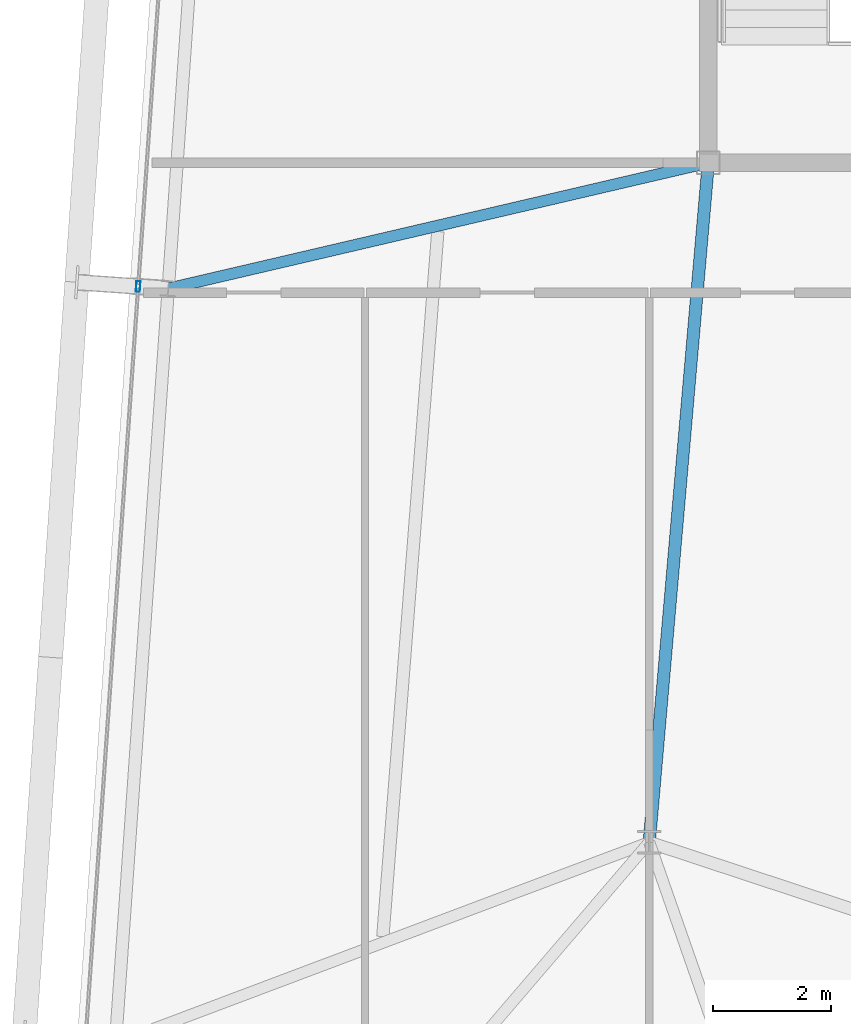
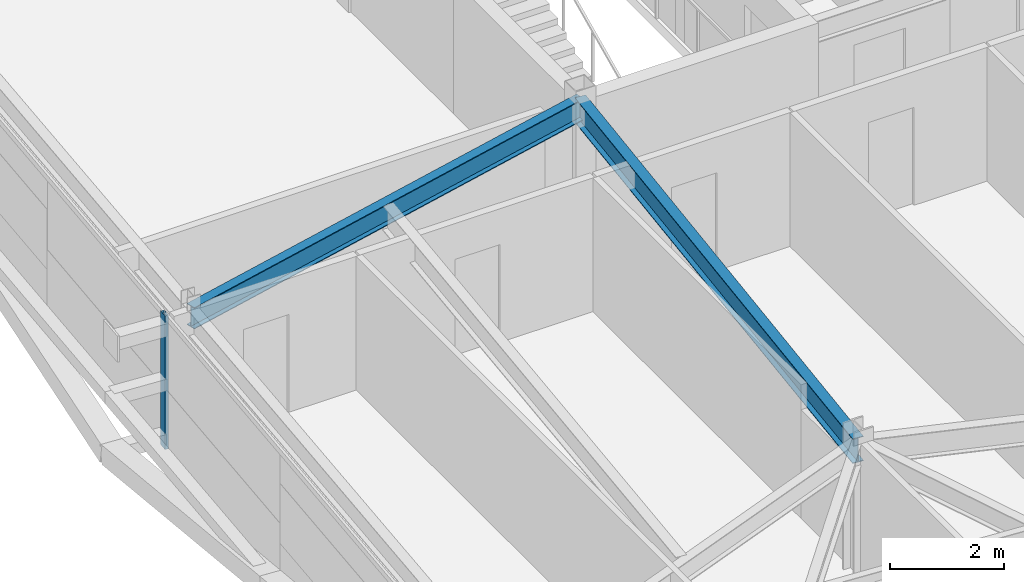
# One storey, part 11 of 39: 2 beams, 1 member, 1 element without a shape of its own.
"""IFC4 building model written with IfcOpenShell, lengths in metres."""

from ifc_helpers import new_model, si_unit, direction, frame, origin, origin_2d, place, context, subcontext, project, spatial, hollow_rectangle, i_section, extrude, source, transform, mapped, material, layer, layer_set, material_profile, profile_set, type_object, element, aggregate, save


model = new_model("IFC4")

# Units and contexts
model_context = context("Model", 3, precision=1e-05, world=origin(), true_north=direction((0.0, 1.0)))
body_context = subcontext(model_context, "Body", "Model", "MODEL_VIEW")
ifc_project = project(units=[si_unit("LENGTHUNIT", "METRE"), si_unit("AREAUNIT", "SQUARE_METRE"), si_unit("VOLUMEUNIT", "CUBIC_METRE"), si_unit("PLANEANGLEUNIT", "RADIAN"), si_unit("MASSUNIT", "GRAM", prefix="KILO")], contexts=[model_context])

# Site, building, storey
site_placement = place(None, origin())
site = spatial("IfcSite", under=ifc_project, at=site_placement, CompositionType="ELEMENT")
building_placement = place(site_placement, origin())
building = spatial("IfcBuilding", under=site, at=building_placement, Name="Taldren Reach Tower", CompositionType="ELEMENT")
storey_placement = place(building_placement, frame((0.0, 0.0, 161.35009765625)))
storey = spatial("IfcBuildingStorey", under=building, at=storey_placement, Name="L49", CompositionType="ELEMENT", Elevation=161.35009765625)

# Beams
ifc_material_1 = material(Name="Steel Gr 350 (350PLUS)", Category="steel")
ifc_material_profile_1 = material_profile(ifc_material_1, i_section(OverallWidth=0.208984375, OverallDepth=0.532958984375, WebThickness=0.01025390625, FlangeThickness=0.015625, at=origin_2d()), Name="530UB92.4")
ifc_profile_set_1 = profile_set([ifc_material_profile_1], Name="Steel Gr 350 (350PLUS)")
beam_type_1 = type_object("IfcBeamType", Name="BM-UB530A", PredefinedType="BEAM", material=ifc_profile_set_1)
shared_shape_1 = source(origin(), body_context, "Body", "SweptSolid", [
    extrude(i_section(OverallWidth=0.208984375, OverallDepth=0.532958984375, WebThickness=0.01025390625, FlangeThickness=0.015625, at=origin_2d()), origin(), (0.0, 0.0, 1.0), 11.54345703125),
])
beam_1_placement = place(storey_placement, frame((19.0, 24.0, 2.603515625), z_axis=(-0.086629616365, -0.996240588196, 0.0), x_axis=(0.996240588196, -0.086629616365, 0.0)))
element("IfcBeam", 1, at=beam_1_placement, inside=storey, type_object=beam_type_1, Name="Core-spine girder L49-SP09", PredefinedType="BEAM", context=body_context, shape_type="MappedRepresentation", body=[
    mapped(shared_shape_1, transform((0.0, 0.0, 0.0), scale=1.0)),
])
ifc_material_profile_2 = material_profile(ifc_material_1, i_section(OverallWidth=0.19091796875, OverallDepth=0.4599609375, WebThickness=0.010009765625, FlangeThickness=0.01611328125, at=origin_2d()), Name="460UB82.1")
ifc_profile_set_2 = profile_set([ifc_material_profile_2], Name="Steel Gr 350 (350PLUS)")
beam_type_2 = type_object("IfcBeamType", Name="BM-UB460A", PredefinedType="BEAM", material=ifc_profile_set_2)
shared_shape_2 = source(origin(), body_context, "Body", "SweptSolid", [
    extrude(i_section(OverallWidth=0.19091796875, OverallDepth=0.4599609375, WebThickness=0.010009765625, FlangeThickness=0.01611328125, at=origin_2d()), origin(), (0.0, 0.0, 1.0), 9.383544921875),
])
beam_2_placement = place(storey_placement, frame((19.0, 24.0, 2.639892578125), z_axis=(-0.973856560651, -0.227163815951, 0.0), x_axis=(0.227163815951, -0.973856560651, 0.0)))
element("IfcBeam", 2, at=beam_2_placement, inside=storey, type_object=beam_type_2, Name="Primary floor girder B3-W2 L49", PredefinedType="BEAM", context=body_context, shape_type="MappedRepresentation", body=[
    mapped(shared_shape_2, transform((0.0, 0.0, 0.0), scale=1.0)),
])

# Curtain wall, member
ifc_material_2 = material(Name="Aluminium and Low-E Glass Unitised System", Category="aluminium")
ifc_layer = layer(ifc_material_2, 0.159912109375)
ifc_layer_set = layer_set([ifc_layer], Name="Aluminium and Low-E Glass Unitised System")
curtain_wall_type = type_object("IfcCurtainWallType", Name="CW-SYS-4", PredefinedType="NOTDEFINED", material=ifc_layer_set)
curtain_wall_placement = place(storey_placement, origin())
curtain_wall = element("IfcCurtainWall", 3, at=curtain_wall_placement, inside=storey, type_object=curtain_wall_type, Name="Unitised curtain wall CW-L49-W", PredefinedType="NOTDEFINED")
ifc_material_3 = material(Name="Anodised Aluminium 6063-T6", Category="aluminium")
ifc_material_profile_3 = material_profile(ifc_material_3, hollow_rectangle(XDim=0.070068359375, YDim=0.179931640625, WallThickness=0.00390625, at=origin_2d()), Name="ALU-180x70x4RHS")
ifc_profile_set_3 = profile_set([ifc_material_profile_3], Name="Anodised Aluminium 6063-T6")
member_type = type_object("IfcMemberType", Name="CW-MUL-180", PredefinedType="MULLION", material=ifc_profile_set_3)
shared_shape_3 = source(origin(), body_context, "Body", "SweptSolid", [
    extrude(hollow_rectangle(XDim=0.070068359375, YDim=0.179931640625, WallThickness=0.00390625, at=origin_2d()), origin(), (0.0, 0.0, 1.0), 2.869873046875),
])
member_placement = place(storey_placement, frame((9.35302734375, 21.90380859375, 0.0), z_axis=(0.0, 0.0, 1.0), x_axis=(0.997564052812, -0.069756437251, 0.0)))
member = element("IfcMember", 4, at=member_placement, type_object=member_type, Name="CW-4 mullion 2", PredefinedType="MULLION", context=body_context, shape_type="MappedRepresentation", body=[
    mapped(shared_shape_3, transform((0.0, 0.0, 0.0), scale=1.0)),
])
aggregate(curtain_wall, [member])

save(model, "model.ifc")
